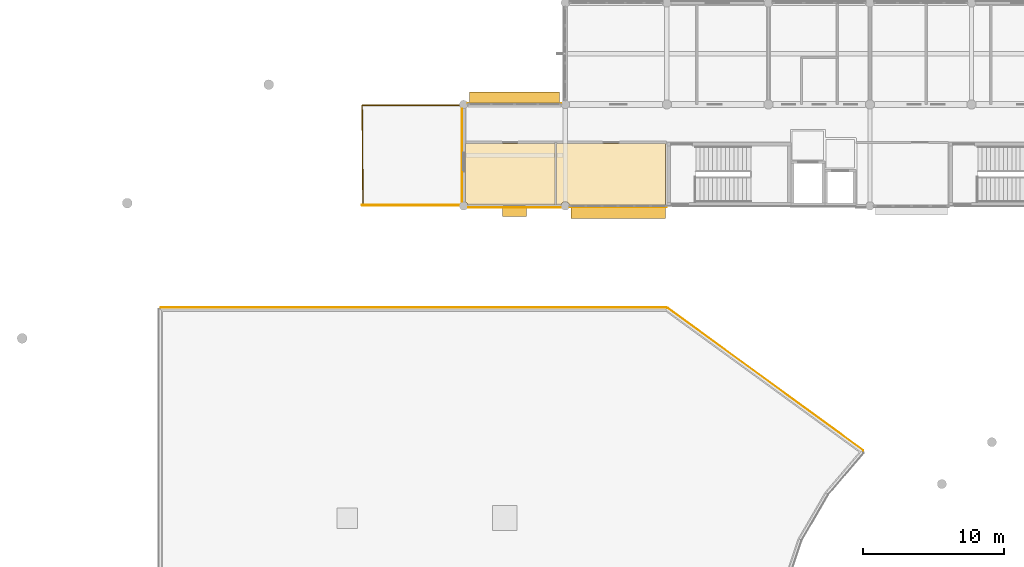
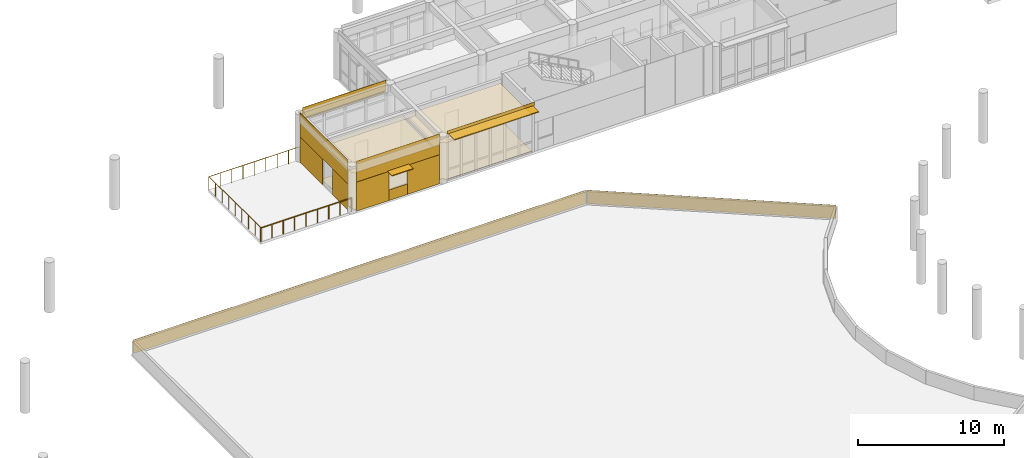
# One storey, part 46 of 55: 15 coverings, 3 shading devices, 2 railings.
"""IFC4 building model written with IfcOpenShell, lengths in metres."""

from ifc_helpers import new_model, si_unit, direction, frame, origin, origin_2d, place, context, subcontext, project, spatial, polyline, rectangle, circle, outline, extrude, material, layer, layer_set, type_object, element, save


model = new_model("IFC4")

# Units and contexts
model_context = context("Model", 3, precision=1e-05, world=origin(), true_north=direction((0.0, 1.0)))
body_context = subcontext(model_context, "Body", "Model", "MODEL_VIEW")
ifc_project = project(units=[si_unit("LENGTHUNIT", "METRE"), si_unit("AREAUNIT", "SQUARE_METRE"), si_unit("VOLUMEUNIT", "CUBIC_METRE"), si_unit("PLANEANGLEUNIT", "RADIAN"), si_unit("MASSUNIT", "GRAM", prefix="KILO")], contexts=[model_context])

# Site, building, storey
site_placement = place(None, origin())
site = spatial("IfcSite", under=ifc_project, at=site_placement, CompositionType="ELEMENT")
building_placement = place(site_placement, origin())
building = spatial("IfcBuilding", under=site, at=building_placement, Name="Namkhue Oval Health Centre", CompositionType="ELEMENT")
storey_placement = place(building_placement, frame((0.0, 0.0, 9.60009765625)))
storey = spatial("IfcBuildingStorey", under=building, at=storey_placement, Name="L02", CompositionType="ELEMENT", Elevation=9.60009765625)

# Coverings
ifc_material_1 = material(Name="Acoustic mineral-fibre cleanroom ceiling", Category="gypsum")
ifc_layer_1 = layer(ifc_material_1, 0.02001953125)
ifc_layer_set_1 = layer_set([ifc_layer_1], Name="Acoustic mineral-fibre cleanroom ceiling")
covering_type_1 = type_object("IfcCoveringType", Name="ACOUSTIC CLEANROOM CEILING 20", PredefinedType="CEILING", material=ifc_layer_set_1)
covering_1_placement = place(storey_placement, frame((0.0, 0.0, 3.0498046875)))
element("IfcCovering", 1, at=covering_1_placement, inside=storey, type_object=covering_type_1, Name="Acoustic Ceiling L02-209 Courtyard Terrace Patient Lounge", PredefinedType="CEILING", context=body_context, shape_type="SweptSolid", body=[
    extrude(outline(polyline([(43.49755859375, 90.0849609375), (43.468505859375, 90.155029296875), (43.419189453125, 90.21923828125), (43.35498046875, 90.2685546875), (43.344970703125, 90.272705078125), (43.344970703125, 94.419921875), (49.659912109375, 94.419921875), (49.659912109375, 90.0849609375), (43.49755859375, 90.0849609375)])), origin(), (0.0, 0.0, 1.0), 0.02001953125),
])
covering_2_placement = place(storey_placement, frame((0.0, 0.0, 3.0498046875)))
element("IfcCovering", 2, at=covering_2_placement, inside=storey, type_object=covering_type_1, Name="Acoustic Ceiling L02-210 Diabetes Care Consultation Room", PredefinedType="CEILING", context=body_context, shape_type="SweptSolid", body=[
    extrude(outline(polyline([(50.697509765625, 90.0849609375), (50.66845703125, 90.155029296875), (50.619140625, 90.21923828125), (50.554931640625, 90.2685546875), (50.480224609375, 90.29931640625), (50.39990234375, 90.31005859375), (50.31982421875, 90.29931640625), (50.2451171875, 90.2685546875), (50.180908203125, 90.21923828125), (50.131591796875, 90.155029296875), (50.1025390625, 90.0849609375), (49.780029296875, 90.0849609375), (49.780029296875, 94.419921875), (57.52001953125, 94.419921875), (57.52001953125, 90.0849609375), (50.697509765625, 90.0849609375)])), origin(), (0.0, 0.0, 1.0), 0.02001953125),
])
ifc_material_2 = material(Name="Homogeneous anti-bacterial clinical vinyl flooring", Category="plastic")
ifc_layer_2 = layer(ifc_material_2, 0.014892578125)
ifc_layer_set_2 = layer_set([ifc_layer_2], Name="Homogeneous anti-bacterial clinical vinyl flooring")
covering_type_2 = type_object("IfcCoveringType", Name="CLINICAL ANTIBACTERIAL VINYL FLOORING 15", PredefinedType="FLOORING", material=ifc_layer_set_2)
covering_3_placement = place(storey_placement, origin())
element("IfcCovering", 3, at=covering_3_placement, inside=storey, type_object=covering_type_2, Name="Clinical Flooring L02-209 Courtyard Terrace Patient Lounge", PredefinedType="FLOORING", context=body_context, shape_type="SweptSolid", body=[
    extrude(outline(polyline([(43.49755859375, 90.0849609375), (43.468505859375, 90.155029296875), (43.419189453125, 90.21923828125), (43.35498046875, 90.2685546875), (43.344970703125, 90.272705078125), (43.344970703125, 94.419921875), (49.659912109375, 94.419921875), (49.659912109375, 90.0849609375), (43.49755859375, 90.0849609375)])), origin(), (0.0, 0.0, 1.0), 0.014892578125),
])
covering_4_placement = place(storey_placement, origin())
element("IfcCovering", 4, at=covering_4_placement, inside=storey, type_object=covering_type_2, Name="Clinical Flooring L02-210 Diabetes Care Consultation Room", PredefinedType="FLOORING", context=body_context, shape_type="SweptSolid", body=[
    extrude(outline(polyline([(50.697509765625, 90.0849609375), (50.66845703125, 90.155029296875), (50.619140625, 90.21923828125), (50.554931640625, 90.2685546875), (50.480224609375, 90.29931640625), (50.39990234375, 90.31005859375), (50.31982421875, 90.29931640625), (50.2451171875, 90.2685546875), (50.180908203125, 90.21923828125), (50.131591796875, 90.155029296875), (50.1025390625, 90.0849609375), (49.780029296875, 90.0849609375), (49.780029296875, 94.419921875), (57.52001953125, 94.419921875), (57.52001953125, 90.0849609375), (50.697509765625, 90.0849609375)])), origin(), (0.0, 0.0, 1.0), 0.014892578125),
])

# Railings
ifc_material_3 = material(Name="Brushed stainless steel 316L balustrade with laminated glass infill", Category="steel")
railing_type = type_object("IfcRailingType", Name="EXTERIOR BALUSTRADE GUARD 1150", PredefinedType="BALUSTRADE", material=ifc_material_3)
railing_1_placement = place(storey_placement, frame((36.0, 90.06005859375, 0.0)))
element("IfcRailing", 5, at=railing_1_placement, inside=storey, type_object=railing_type, Name="Volume V2 L02 Terrace Balustrade Guard 1", PredefinedType="BALUSTRADE", context=body_context, shape_type="SweptSolid", body=[
    extrude(circle(Radius=0.02392578125, at=origin_2d()), frame((0.0, 0.0, 1.1259765625), z_axis=(1.0, 0.0, 0.0), x_axis=(0.0, 1.0, 0.0)), (0.0, 0.0, 1.0), 7.199951171875),
    extrude(circle(Radius=0.02099609375, at=origin_2d()), origin(), (0.0, 0.0, 1.0), 1.101806640625),
    extrude(circle(Radius=0.02099609375, at=origin_2d()), frame((0.89990234375, 0.0, 0.0)), (0.0, 0.0, 1.0), 1.101806640625),
    extrude(circle(Radius=0.02099609375, at=origin_2d()), frame((1.800048828125, 0.0, 0.0)), (0.0, 0.0, 1.0), 1.101806640625),
    extrude(circle(Radius=0.02099609375, at=origin_2d()), frame((2.699951171875, 0.0, 0.0)), (0.0, 0.0, 1.0), 1.101806640625),
    extrude(circle(Radius=0.02099609375, at=origin_2d()), frame((3.60009765625, 0.0, 0.0)), (0.0, 0.0, 1.0), 1.101806640625),
    extrude(circle(Radius=0.02099609375, at=origin_2d()), frame((4.5, 0.0, 0.0)), (0.0, 0.0, 1.0), 1.101806640625),
    extrude(circle(Radius=0.02099609375, at=origin_2d()), frame((5.39990234375, 0.0, 0.0)), (0.0, 0.0, 1.0), 1.101806640625),
    extrude(circle(Radius=0.02099609375, at=origin_2d()), frame((6.300048828125, 0.0, 0.0)), (0.0, 0.0, 1.0), 1.101806640625),
    extrude(circle(Radius=0.02099609375, at=origin_2d()), frame((7.199951171875, 0.0, 0.0)), (0.0, 0.0, 1.0), 1.101806640625),
])
railing_2_placement = place(storey_placement, frame((43.199951171875, 97.139892578125, 0.0)))
element("IfcRailing", 6, at=railing_2_placement, inside=storey, type_object=railing_type, Name="Volume V2 L02 Terrace Balustrade Guard 2", PredefinedType="BALUSTRADE", context=body_context, shape_type="SweptSolid", body=[
    extrude(circle(Radius=0.02392578125, at=origin_2d()), frame((0.0, 0.0, 1.1259765625), z_axis=(-1.0, 0.0, 0.0), x_axis=(0.0, -1.0, 0.0)), (0.0, 0.0, 1.0), 7.199951171875),
    extrude(circle(Radius=0.02392578125, at=origin_2d()), frame((-7.199951171875, 0.0, 1.1259765625), z_axis=(0.008411396731, -0.999964623577, 0.0), x_axis=(0.999964623577, 0.008411396731, 0.0)), (0.0, 0.0, 1.0), 7.14013671875),
    extrude(circle(Radius=0.02099609375, at=origin_2d()), origin(), (0.0, 0.0, 1.0), 1.101806640625),
    extrude(circle(Radius=0.02099609375, at=origin_2d()), frame((-0.89990234375, 0.0, 0.0)), (0.0, 0.0, 1.0), 1.101806640625),
    extrude(circle(Radius=0.02099609375, at=origin_2d()), frame((-1.800048828125, 0.0, 0.0)), (0.0, 0.0, 1.0), 1.101806640625),
    extrude(circle(Radius=0.02099609375, at=origin_2d()), frame((-2.699951171875, 0.0, 0.0)), (0.0, 0.0, 1.0), 1.101806640625),
    extrude(circle(Radius=0.02099609375, at=origin_2d()), frame((-3.60009765625, 0.0, 0.0)), (0.0, 0.0, 1.0), 1.101806640625),
    extrude(circle(Radius=0.02099609375, at=origin_2d()), frame((-4.5, 0.0, 0.0)), (0.0, 0.0, 1.0), 1.101806640625),
    extrude(circle(Radius=0.02099609375, at=origin_2d()), frame((-5.39990234375, 0.0, 0.0)), (0.0, 0.0, 1.0), 1.101806640625),
    extrude(circle(Radius=0.02099609375, at=origin_2d()), frame((-6.300048828125, 0.0, 0.0)), (0.0, 0.0, 1.0), 1.101806640625),
    extrude(circle(Radius=0.02099609375, at=origin_2d()), frame((-7.199951171875, 0.0, 0.0)), (0.0, 0.0, 1.0), 1.101806640625),
    extrude(circle(Radius=0.02099609375, at=origin_2d()), frame((-7.1923828125, -0.892578125, 0.0)), (0.0, 0.0, 1.0), 1.101806640625),
    extrude(circle(Radius=0.02099609375, at=origin_2d()), frame((-7.18505859375, -1.784912109375, 0.0)), (0.0, 0.0, 1.0), 1.101806640625),
    extrude(circle(Radius=0.02099609375, at=origin_2d()), frame((-7.177490234375, -2.677490234375, 0.0)), (0.0, 0.0, 1.0), 1.101806640625),
    extrude(circle(Radius=0.02099609375, at=origin_2d()), frame((-7.169921875, -3.56982421875, 0.0)), (0.0, 0.0, 1.0), 1.101806640625),
    extrude(circle(Radius=0.02099609375, at=origin_2d()), frame((-7.162353515625, -4.46240234375, 0.0)), (0.0, 0.0, 1.0), 1.101806640625),
    extrude(circle(Radius=0.02099609375, at=origin_2d()), frame((-7.15478515625, -5.35498046875, 0.0)), (0.0, 0.0, 1.0), 1.101806640625),
    extrude(circle(Radius=0.02099609375, at=origin_2d()), frame((-7.1474609375, -6.247314453125, 0.0)), (0.0, 0.0, 1.0), 1.101806640625),
    extrude(circle(Radius=0.02099609375, at=origin_2d()), frame((-7.139892578125, -7.139892578125, 0.0)), (0.0, 0.0, 1.0), 1.101806640625),
])

# Shading devices
ifc_material_4 = material(Name="Anodised aluminium EN AW-6063 T6", Category="aluminium")
ifc_layer_3 = layer(ifc_material_4, 0.06005859375)
ifc_layer_set_3 = layer_set([ifc_layer_3], Name="Anodised aluminium EN AW-6063 T6")
shading_device_type_1 = type_object("IfcShadingDeviceType", Name="MONSOON SUN LOUVRE 900", PredefinedType="JALOUSIE", material=ifc_layer_set_3)
shading_device_1_placement = place(storey_placement, frame((54.146484375, 89.550048828125, 3.8798828125), z_axis=(0.0, 0.0, 1.0), x_axis=(1.0, 0.0, 0.0)))
element("IfcShadingDevice", 7, at=shading_device_1_placement, inside=storey, type_object=shading_device_type_1, Name="Volume V2 L02 Horizontal Monsoon Sun Louvre 78", PredefinedType="JALOUSIE", context=body_context, shape_type="SweptSolid", body=[
    extrude(rectangle(XDim=6.702880859375, YDim=0.89990234375, at=origin_2d()), origin(), (0.0, 0.0, 1.0), 0.06005859375),
])
shading_device_2_placement = place(storey_placement, frame((46.800048828125, 97.64990234375, 3.2578125), z_axis=(0.0, 0.0, 1.0), x_axis=(-1.0, 0.0, 0.0)))
element("IfcShadingDevice", 8, at=shading_device_2_placement, inside=storey, type_object=shading_device_type_1, Name="Volume V2 L02 Horizontal Monsoon Sun Louvre 88", PredefinedType="JALOUSIE", context=body_context, shape_type="SweptSolid", body=[
    extrude(rectangle(XDim=6.409912109375, YDim=0.89990234375, at=origin_2d()), origin(), (0.0, 0.0, 1.0), 0.06005859375),
])
ifc_layer_4 = layer(ifc_material_4, 0.050048828125)
ifc_layer_set_4 = layer_set([ifc_layer_4], Name="Anodised aluminium EN AW-6063 T6")
shading_device_type_2 = type_object("IfcShadingDeviceType", Name="STORM SHUTTER LOUVRE 650", PredefinedType="SHUTTER", material=ifc_layer_set_4)
shading_device_3_placement = place(storey_placement, frame((46.800048828125, 89.590087890625, 2.4599609375), z_axis=(0.0, 0.0, 1.0), x_axis=(1.0, 0.0, 0.0)))
element("IfcShadingDevice", 9, at=shading_device_3_placement, inside=storey, type_object=shading_device_type_2, Name="Volume V2 L02 Window Monsoon Louvre 77", PredefinedType="SHUTTER", context=body_context, shape_type="SweptSolid", body=[
    extrude(rectangle(XDim=1.68994140625, YDim=0.64990234375, at=origin_2d()), origin(), (0.0, 0.0, 1.0), 0.06005859375),
])

# Coverings
ifc_material_5 = material(Name="White glass-fibre reinforced concrete GRC rainscreen cladding", Category="concrete")
ifc_layer_5 = layer(ifc_material_5, 0.02490234375)
ifc_layer_set_5 = layer_set([ifc_layer_5], Name="White glass-fibre reinforced concrete GRC rainscreen cladding")
covering_type_3 = type_object("IfcCoveringType", Name="WHITE GRC RAINSCREEN CLADDING 25", PredefinedType="CLADDING", material=ifc_layer_set_5)
covering_5_placement = place(storey_placement, frame((39.631103515625, 82.81201171875, 0.010009765625), z_axis=(0.0, 0.0, 1.0), x_axis=(1.0, 0.0, 0.0)))
element("IfcCovering", 10, at=covering_5_placement, inside=storey, type_object=covering_type_3, Name="Volume V1 L02 Parapet 2 White GRC Cladding 1", PredefinedType="CLADDING", context=body_context, shape_type="SweptSolid", body=[
    extrude(rectangle(XDim=35.83740234375, YDim=0.02490234375, at=origin_2d()), origin(), (0.0, 0.0, 1.0), 1.1298828125),
])
covering_6_placement = place(storey_placement, frame((64.587890625, 77.728759765625, 0.010009765625), z_axis=(0.0, 0.0, 1.0), x_axis=(0.808503746992, -0.588491028904, 0.0)))
element("IfcCovering", 11, at=covering_6_placement, inside=storey, type_object=covering_type_3, Name="Volume V1 L02 Parapet 3 White GRC Cladding 1", PredefinedType="CLADDING", context=body_context, shape_type="SweptSolid", body=[
    extrude(rectangle(XDim=17.16796875, YDim=0.02490234375, at=origin_2d()), origin(), (0.0, 0.0, 1.0), 1.1298828125),
])
covering_7_placement = place(storey_placement, frame((46.800048828125, 89.89306640625, 2.455078125), z_axis=(0.0, 0.0, 1.0), x_axis=(1.0, 0.0, 0.0)))
element("IfcCovering", 12, at=covering_7_placement, inside=storey, type_object=covering_type_3, Name="Volume V2 L02 Facade 34 White GRC Cladding 1", PredefinedType="CLADDING", context=body_context, shape_type="SweptSolid", body=[
    extrude(rectangle(XDim=6.570068359375, YDim=0.02490234375, at=origin_2d()), origin(), (0.0, 0.0, 1.0), 1.735107421875),
])
covering_8_placement = place(storey_placement, frame((44.78759765625, 89.89306640625, 0.010009765625), z_axis=(0.0, 0.0, 1.0), x_axis=(1.0, 0.0, 0.0)))
element("IfcCovering", 13, at=covering_8_placement, inside=storey, type_object=covering_type_3, Name="Volume V2 L02 Facade 34 White GRC Cladding 2", PredefinedType="CLADDING", context=body_context, shape_type="SweptSolid", body=[
    extrude(rectangle(XDim=2.544921875, YDim=0.02490234375, at=origin_2d()), origin(), (0.0, 0.0, 1.0), 2.43994140625),
])
covering_9_placement = place(storey_placement, frame((46.800048828125, 89.89306640625, 0.010009765625), z_axis=(0.0, 0.0, 1.0), x_axis=(1.0, 0.0, 0.0)))
element("IfcCovering", 14, at=covering_9_placement, inside=storey, type_object=covering_type_3, Name="Volume V2 L02 Facade 34 White GRC Cladding 3", PredefinedType="CLADDING", context=body_context, shape_type="SweptSolid", body=[
    extrude(rectangle(XDim=1.469970703125, YDim=0.02490234375, at=origin_2d()), origin(), (0.0, 0.0, 1.0), 0.875),
])
covering_10_placement = place(storey_placement, frame((48.8125, 89.89306640625, 0.010009765625), z_axis=(0.0, 0.0, 1.0), x_axis=(1.0, 0.0, 0.0)))
element("IfcCovering", 15, at=covering_10_placement, inside=storey, type_object=covering_type_3, Name="Volume V2 L02 Facade 34 White GRC Cladding 4", PredefinedType="CLADDING", context=body_context, shape_type="SweptSolid", body=[
    extrude(rectangle(XDim=2.544921875, YDim=0.02490234375, at=origin_2d()), origin(), (0.0, 0.0, 1.0), 2.43994140625),
])
covering_11_placement = place(storey_placement, frame((54.146484375, 89.91162109375, 3.93505859375), z_axis=(0.0, 0.0, 1.0), x_axis=(1.0, 0.0, 0.0)))
element("IfcCovering", 16, at=covering_11_placement, inside=storey, type_object=covering_type_3, Name="Volume V2 L02 Curtain Wall Spandrel Cladding 61", PredefinedType="CLADDING", context=body_context, shape_type="SweptSolid", body=[
    extrude(rectangle(XDim=6.89306640625, YDim=0.02490234375, at=origin_2d()), origin(), (0.0, 0.0, 1.0), 0.264892578125),
])
covering_12_placement = place(storey_placement, frame((46.800048828125, 97.28857421875, 3.31298828125), z_axis=(0.0, 0.0, 1.0), x_axis=(-1.0, 0.0, 0.0)))
element("IfcCovering", 17, at=covering_12_placement, inside=storey, type_object=covering_type_3, Name="Volume V2 L02 Curtain Wall Spandrel Cladding 69", PredefinedType="CLADDING", context=body_context, shape_type="SweptSolid", body=[
    extrude(rectangle(XDim=6.60009765625, YDim=0.02490234375, at=origin_2d()), origin(), (0.0, 0.0, 1.0), 0.886962890625),
])
covering_13_placement = place(storey_placement, frame((43.072998046875, 93.60009765625, 2.1748046875), z_axis=(0.0, 0.0, 1.0), x_axis=(0.0, -1.0, 0.0)))
element("IfcCovering", 18, at=covering_13_placement, inside=storey, type_object=covering_type_3, Name="Volume V2 L02 Facade 38 White GRC Cladding 1", PredefinedType="CLADDING", context=body_context, shape_type="SweptSolid", body=[
    extrude(rectangle(XDim=6.570068359375, YDim=0.02490234375, at=origin_2d()), origin(), (0.0, 0.0, 1.0), 2.014892578125),
])
covering_14_placement = place(storey_placement, frame((43.072998046875, 95.340087890625, 0.009765625), z_axis=(0.0, 0.0, 1.0), x_axis=(0.0, -1.0, 0.0)))
element("IfcCovering", 19, at=covering_14_placement, inside=storey, type_object=covering_type_3, Name="Volume V2 L02 Facade 38 White GRC Cladding 2", PredefinedType="CLADDING", context=body_context, shape_type="SweptSolid", body=[
    extrude(rectangle(XDim=3.090087890625, YDim=0.02490234375, at=origin_2d()), origin(), (0.0, 0.0, 1.0), 2.159912109375),
])
covering_15_placement = place(storey_placement, frame((43.072998046875, 91.360107421875, 0.009765625), z_axis=(0.0, 0.0, 1.0), x_axis=(0.0, -1.0, 0.0)))
element("IfcCovering", 20, at=covering_15_placement, inside=storey, type_object=covering_type_3, Name="Volume V2 L02 Facade 38 White GRC Cladding 3", PredefinedType="CLADDING", context=body_context, shape_type="SweptSolid", body=[
    extrude(rectangle(XDim=2.090087890625, YDim=0.02490234375, at=origin_2d()), origin(), (0.0, 0.0, 1.0), 2.159912109375),
])

save(model, "model.ifc")
